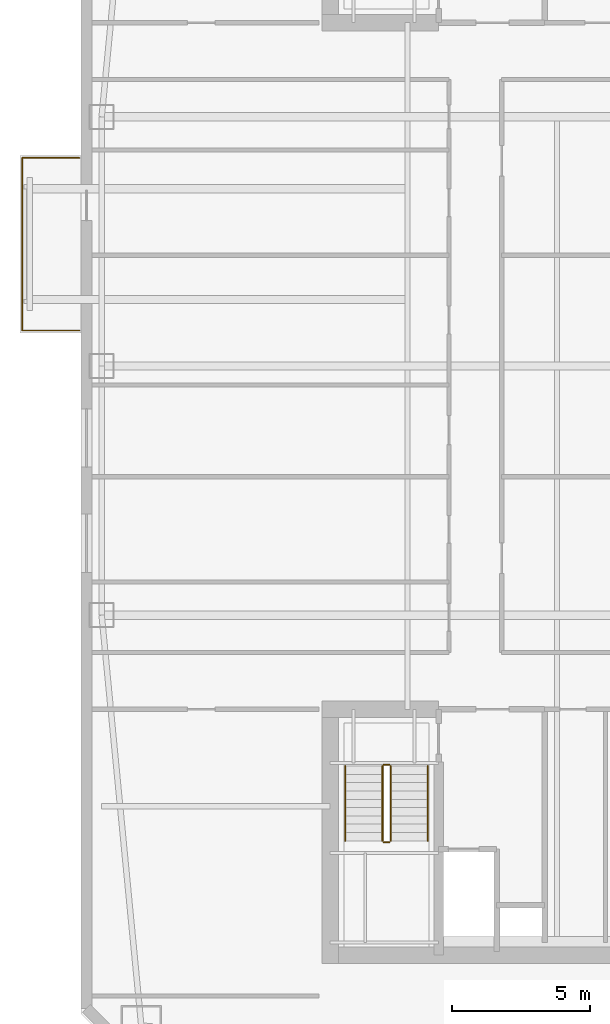
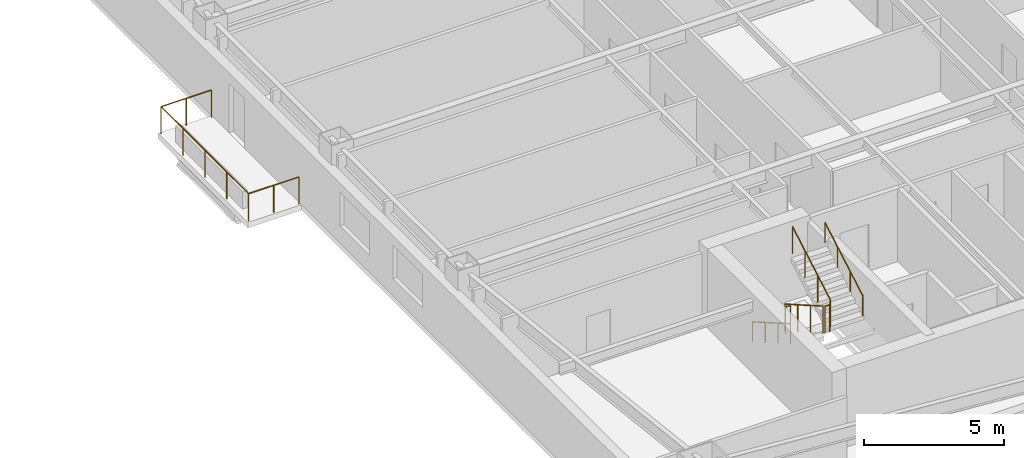
# One storey, part 13 of 17: 7 railings.
"""IFC4 building model written with IfcOpenShell, lengths in metres."""

from ifc_helpers import new_model, si_unit, direction, frame, origin, origin_2d, place, context, subcontext, project, spatial, circle, extrude, material, type_object, element, save


model = new_model("IFC4")

# Units and contexts
model_context = context("Model", 3, precision=1e-05, world=origin(), true_north=direction((0.0, 1.0)))
body_context = subcontext(model_context, "Body", "Model", "MODEL_VIEW")
ifc_project = project(units=[si_unit("LENGTHUNIT", "METRE"), si_unit("AREAUNIT", "SQUARE_METRE"), si_unit("VOLUMEUNIT", "CUBIC_METRE"), si_unit("PLANEANGLEUNIT", "RADIAN"), si_unit("MASSUNIT", "GRAM", prefix="KILO")], contexts=[model_context])

# Site, building, storey
site_placement = place(None, origin())
site = spatial("IfcSite", under=ifc_project, at=site_placement, CompositionType="ELEMENT")
building_placement = place(site_placement, origin())
building = spatial("IfcBuilding", under=site, at=building_placement, Name="Qiaolan Cultural Towers", CompositionType="ELEMENT")
storey_placement = place(building_placement, frame((0.0, 0.0, 177.10009765625)))
storey = spatial("IfcBuildingStorey", under=building, at=storey_placement, Name="L47", CompositionType="ELEMENT", Elevation=177.10009765625)

# Railings
ifc_material_1 = material(Name="Laminated SentryGlas & Stainless Steel S31608 Balustrade", Category="steel")
railing_type_1 = type_object("IfcRailingType", Name="GRD-TERR-1200", PredefinedType="BALUSTRADE", material=ifc_material_1)
railing_1_placement = place(storey_placement, frame((12.75, 35.280029296875, 0.0)))
element("IfcRailing", 1, at=railing_1_placement, inside=storey, type_object=railing_type_1, Name="L47 T1 Tree Balcony Guardrail W", PredefinedType="BALUSTRADE", context=body_context, shape_type="SweptSolid", body=[
    extrude(circle(Radius=0.02392578125, at=origin_2d()), frame((0.0, 0.0, 1.17578125), z_axis=(-1.0, 0.0, 0.0), x_axis=(0.0, -1.0, 0.0)), (0.0, 0.0, 1.0), 2.070068359375),
    extrude(circle(Radius=0.02392578125, at=origin_2d()), frame((-2.070068359375, 0.0, 1.17578125), z_axis=(0.0, 1.0, 0.0), x_axis=(-1.0, 0.0, 0.0)), (0.0, 0.0, 1.0), 6.239990234375),
    extrude(circle(Radius=0.02392578125, at=origin_2d()), frame((-2.070068359375, 6.239990234375, 1.17578125), z_axis=(1.0, 0.0, 0.0), x_axis=(0.0, 1.0, 0.0)), (0.0, 0.0, 1.0), 2.070068359375),
    extrude(circle(Radius=0.02099609375, at=origin_2d()), origin(), (0.0, 0.0, 1.0), 1.15185546875),
    extrude(circle(Radius=0.02099609375, at=origin_2d()), frame((-1.03515625, 0.0, 0.0)), (0.0, 0.0, 1.0), 1.15185546875),
    extrude(circle(Radius=0.02099609375, at=origin_2d()), frame((-2.070068359375, 0.0, 0.0)), (0.0, 0.0, 1.0), 1.15185546875),
    extrude(circle(Radius=0.02099609375, at=origin_2d()), frame((-2.070068359375, 1.56005859375, 0.0)), (0.0, 0.0, 1.0), 1.15185546875),
    extrude(circle(Radius=0.02099609375, at=origin_2d()), frame((-2.070068359375, 3.1201171875, 0.0)), (0.0, 0.0, 1.0), 1.15185546875),
    extrude(circle(Radius=0.02099609375, at=origin_2d()), frame((-2.070068359375, 4.679931640625, 0.0)), (0.0, 0.0, 1.0), 1.15185546875),
    extrude(circle(Radius=0.02099609375, at=origin_2d()), frame((-2.070068359375, 6.239990234375, 0.0)), (0.0, 0.0, 1.0), 1.15185546875),
    extrude(circle(Radius=0.02099609375, at=origin_2d()), frame((-1.03515625, 6.239990234375, 0.0)), (0.0, 0.0, 1.0), 1.15185546875),
    extrude(circle(Radius=0.02099609375, at=origin_2d()), frame((0.0, 6.239990234375, 0.0)), (0.0, 0.0, 1.0), 1.15185546875),
])
ifc_material_2 = material(Name="Galvanized Painted Steel Stair Guardrail", Category="steel")
railing_type_2 = type_object("IfcRailingType", Name="RL-STAIR-GRD", PredefinedType="GUARDRAIL", material=ifc_material_2)
railing_2_placement = place(storey_placement, frame((23.68994140625, 19.550048828125, 0.17236328125)))
element("IfcRailing", 2, at=railing_2_placement, inside=storey, type_object=railing_type_2, Name="L47 ST-W1 stair guard 1", PredefinedType="GUARDRAIL", context=body_context, shape_type="SweptSolid", body=[
    extrude(circle(Radius=0.02392578125, at=origin_2d()), frame((0.0, 0.0, 1.17578125), z_axis=(0.0, -0.866903762492, 0.498475542607), x_axis=(1.0, 0.0, 0.0)), (0.0, 0.0, 1.0), 3.114501953125),
    extrude(circle(Radius=0.02099609375, at=origin_2d()), origin(), (0.0, 0.0, 1.0), 1.15185546875),
    extrude(circle(Radius=0.02099609375, at=origin_2d()), frame((0.0, -0.89990234375, 0.517578125)), (0.0, 0.0, 1.0), 1.15185546875),
    extrude(circle(Radius=0.02099609375, at=origin_2d()), frame((0.0, -1.800048828125, 1.034912109375)), (0.0, 0.0, 1.0), 1.15185546875),
    extrude(circle(Radius=0.02099609375, at=origin_2d()), frame((0.0, -2.699951171875, 1.552490234375)), (0.0, 0.0, 1.0), 1.15185546875),
])
railing_3_placement = place(storey_placement, frame((23.739990234375, 16.800048828125, 1.724853515625)))
element("IfcRailing", 3, at=railing_3_placement, inside=storey, type_object=railing_type_2, Name="L47 ST-W1 stair guard 2", PredefinedType="GUARDRAIL", context=body_context, shape_type="SweptSolid", body=[
    extrude(circle(Radius=0.02392578125, at=origin_2d()), frame((0.0, 0.0, 1.17578125), z_axis=(1.0, 0.0, 0.0), x_axis=(0.0, 1.0, 0.0)), (0.0, 0.0, 1.0), 0.199951171875),
    extrude(circle(Radius=0.02099609375, at=origin_2d()), origin(), (0.0, 0.0, 1.0), 1.15185546875),
    extrude(circle(Radius=0.02099609375, at=origin_2d()), frame((0.199951171875, 0.0, 0.0)), (0.0, 0.0, 1.0), 1.15185546875),
])
railing_4_placement = place(storey_placement, frame((23.989990234375, 16.85009765625, 1.8974609375)))
element("IfcRailing", 4, at=railing_4_placement, inside=storey, type_object=railing_type_2, Name="L47 ST-W1 stair guard 3", PredefinedType="GUARDRAIL", context=body_context, shape_type="SweptSolid", body=[
    extrude(circle(Radius=0.02392578125, at=origin_2d()), frame((0.0, 0.0, 1.17578125), z_axis=(0.0, 0.866903762492, 0.498475542607), x_axis=(-1.0, 0.0, 0.0)), (0.0, 0.0, 1.0), 3.114501953125),
    extrude(circle(Radius=0.02099609375, at=origin_2d()), origin(), (0.0, 0.0, 1.0), 1.15185546875),
    extrude(circle(Radius=0.02099609375, at=origin_2d()), frame((0.0, 0.89990234375, 0.517578125)), (0.0, 0.0, 1.0), 1.15185546875),
    extrude(circle(Radius=0.02099609375, at=origin_2d()), frame((0.0, 1.800048828125, 1.034912109375)), (0.0, 0.0, 1.0), 1.15185546875),
    extrude(circle(Radius=0.02099609375, at=origin_2d()), frame((0.0, 2.699951171875, 1.552490234375)), (0.0, 0.0, 1.0), 1.15185546875),
])
railing_5_placement = place(storey_placement, frame((23.739990234375, 19.60009765625, 0.0)))
element("IfcRailing", 5, at=railing_5_placement, inside=storey, type_object=railing_type_2, Name="L47 ST-W1 stair guard 4", PredefinedType="GUARDRAIL", context=body_context, shape_type="SweptSolid", body=[
    extrude(circle(Radius=0.02392578125, at=origin_2d()), frame((0.0, 0.0, 1.17578125), z_axis=(1.0, 0.0, 0.0), x_axis=(0.0, 1.0, 0.0)), (0.0, 0.0, 1.0), 0.199951171875),
    extrude(circle(Radius=0.02099609375, at=origin_2d()), origin(), (0.0, 0.0, 1.0), 1.15185546875),
    extrude(circle(Radius=0.02099609375, at=origin_2d()), frame((0.199951171875, 0.0, 0.0)), (0.0, 0.0, 1.0), 1.15185546875),
])
ifc_material_3 = material(Name="Stainless Steel S30408 Tubular Handrail", Category="steel")
railing_type_3 = type_object("IfcRailingType", Name="RL-STAIR-HR", PredefinedType="HANDRAIL", material=ifc_material_3)
railing_6_placement = place(storey_placement, frame((22.35009765625, 19.550048828125, 0.17236328125)))
element("IfcRailing", 6, at=railing_6_placement, inside=storey, type_object=railing_type_3, Name="L47 ST-W1 stair handrail 1", PredefinedType="HANDRAIL", context=body_context, shape_type="SweptSolid", body=[
    extrude(circle(Radius=0.02392578125, at=origin_2d()), frame((0.0, 0.0, 0.8759765625), z_axis=(0.0, -0.866903762492, 0.498475542607), x_axis=(1.0, 0.0, 0.0)), (0.0, 0.0, 1.0), 3.114501953125),
    extrude(circle(Radius=0.02099609375, at=origin_2d()), origin(), (0.0, 0.0, 1.0), 0.851806640625),
    extrude(circle(Radius=0.02099609375, at=origin_2d()), frame((0.0, -0.89990234375, 0.517578125)), (0.0, 0.0, 1.0), 0.851806640625),
    extrude(circle(Radius=0.02099609375, at=origin_2d()), frame((0.0, -1.800048828125, 1.034912109375)), (0.0, 0.0, 1.0), 0.851806640625),
    extrude(circle(Radius=0.02099609375, at=origin_2d()), frame((0.0, -2.699951171875, 1.552490234375)), (0.0, 0.0, 1.0), 0.851806640625),
])
railing_7_placement = place(storey_placement, frame((25.330078125, 16.85009765625, 1.8974609375)))
element("IfcRailing", 7, at=railing_7_placement, inside=storey, type_object=railing_type_3, Name="L47 ST-W1 stair handrail 2", PredefinedType="HANDRAIL", context=body_context, shape_type="SweptSolid", body=[
    extrude(circle(Radius=0.02392578125, at=origin_2d()), frame((0.0, 0.0, 0.8759765625), z_axis=(0.0, 0.866903762492, 0.498475542607), x_axis=(-1.0, 0.0, 0.0)), (0.0, 0.0, 1.0), 3.114501953125),
    extrude(circle(Radius=0.02099609375, at=origin_2d()), origin(), (0.0, 0.0, 1.0), 0.851806640625),
    extrude(circle(Radius=0.02099609375, at=origin_2d()), frame((0.0, 0.89990234375, 0.517578125)), (0.0, 0.0, 1.0), 0.851806640625),
    extrude(circle(Radius=0.02099609375, at=origin_2d()), frame((0.0, 1.800048828125, 1.034912109375)), (0.0, 0.0, 1.0), 0.851806640625),
    extrude(circle(Radius=0.02099609375, at=origin_2d()), frame((0.0, 2.699951171875, 1.552490234375)), (0.0, 0.0, 1.0), 0.851806640625),
])

save(model, "model.ifc")
